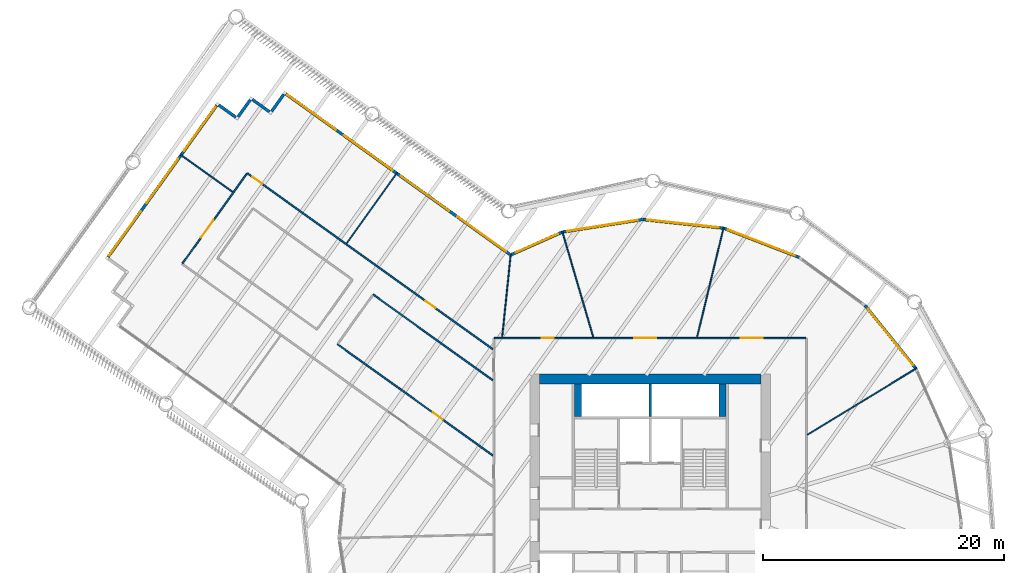
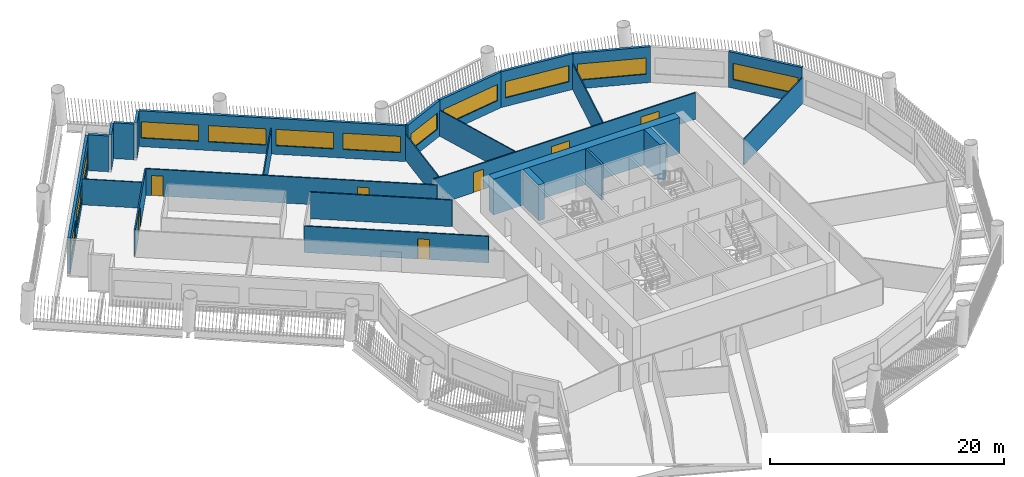
# One storey, part 7 of 17: 26 walls, 12 windows, 7 doors, 19 openings.
"""IFC4 building model written with IfcOpenShell, lengths in metres."""

from ifc_helpers import new_model, si_unit, direction, frame, frame_2d, origin, place, context, subcontext, project, spatial, rectangle, extrude, material, layer, layer_set, type_object, element, fill, save


model = new_model("IFC4")

# Units and contexts
model_context = context("Model", 3, precision=1e-05, world=origin(), true_north=direction((0.0, 1.0)))
body_context = subcontext(model_context, "Body", "Model", "MODEL_VIEW")
ifc_project = project(units=[si_unit("LENGTHUNIT", "METRE"), si_unit("AREAUNIT", "SQUARE_METRE"), si_unit("VOLUMEUNIT", "CUBIC_METRE"), si_unit("PLANEANGLEUNIT", "RADIAN"), si_unit("MASSUNIT", "GRAM", prefix="KILO")], contexts=[model_context])

# Site, building, storey
site_placement = place(None, origin())
site = spatial("IfcSite", under=ifc_project, at=site_placement, CompositionType="ELEMENT")
building_placement = place(site_placement, origin())
building = spatial("IfcBuilding", under=site, at=building_placement, Name="Tarsis Ring Headquarters", CompositionType="ELEMENT")
storey_placement = place(building_placement, frame((0.0, 0.0, 127.89990234375)))
storey = spatial("IfcBuildingStorey", under=building, at=storey_placement, Name="L29", CompositionType="ELEMENT", Elevation=127.89990234375)

# Walls
ifc_material_1 = material(Name="Concrete C60/75", Category="concrete")
ifc_layer_1 = layer(ifc_material_1, 0.800048828125)
ifc_layer_set_1 = layer_set([ifc_layer_1], Name="Core wall 800 C60/75")
wall_type_1 = type_object("IfcWallType", Name="Core wall 800 C60/75", PredefinedType="SHEAR", material=ifc_layer_set_1)
wall_1_placement = place(storey_placement, frame((-9.199951171875, 12.60009765625, 0.0), z_axis=(0.0, 0.0, 1.0), x_axis=(1.0, 0.0, 0.0)))
element("IfcWall", 1, at=wall_1_placement, inside=storey, type_object=wall_type_1, Name="Core wall ON", PredefinedType="SHEAR", context=body_context, shape_type="SweptSolid", body=[
    extrude(rectangle(XDim=18.39990234375, YDim=0.800048828125, at=frame_2d((9.199951171875, 0.0))), origin(), (0.0, 0.0, 1.0), 3.739990234375),
])
ifc_material_2 = material(Name="Gypsum board on steel studs", Category="steel")
ifc_layer_2 = layer(ifc_material_2, 0.10009765625)
ifc_layer_set_2 = layer_set([ifc_layer_2], Name="FL partition 100 unrated")
wall_type_2 = type_object("IfcWallType", Name="FL partition 100 unrated", PredefinedType="PARTITIONING", material=ifc_layer_set_2)
wall_2_placement = place(storey_placement, frame((13.076904296875, 7.975830078125, 0.0), z_axis=(0.0, 0.0, 1.0), x_axis=(0.853735667836, 0.520706644344, 0.0)))
element("IfcWall", 2, at=wall_2_placement, inside=storey, type_object=wall_type_2, Name="Partition PW3", PredefinedType="PARTITIONING", context=body_context, shape_type="SweptSolid", body=[
    extrude(rectangle(XDim=10.630615234375, YDim=0.10009765625, at=frame_2d((5.3154296875, 0.0))), origin(), (0.0, 0.0, 1.0), 2.7001953125),
])
wall_3_placement = place(storey_placement, frame((3.893310546875, 16.068115234375, 0.0), z_axis=(0.0, 0.0, 1.0), x_axis=(0.235457523837, 0.971884640515, 0.0)))
element("IfcWall", 3, at=wall_3_placement, inside=storey, type_object=wall_type_2, Name="Partition PW3", PredefinedType="PARTITIONING", context=body_context, shape_type="SweptSolid", body=[
    extrude(rectangle(XDim=9.414794921875, YDim=0.10009765625, at=frame_2d((4.70751953125, 0.0))), origin(), (0.0, 0.0, 1.0), 2.7001953125),
])
wall_4_placement = place(storey_placement, frame((-7.3173828125, 24.894775390625, 0.0), z_axis=(0.0, 0.0, 1.0), x_axis=(0.282002553172, -0.959413654272, 0.0)))
element("IfcWall", 4, at=wall_4_placement, inside=storey, type_object=wall_type_2, Name="Partition PW3", PredefinedType="PARTITIONING", context=body_context, shape_type="SweptSolid", body=[
    extrude(rectangle(XDim=9.201171875, YDim=0.10009765625, at=frame_2d((4.6005859375, 0.0))), origin(), (0.0, 0.0, 1.0), 2.7001953125),
])
wall_5_placement = place(storey_placement, frame((-25.23681640625, 23.875244140625, 0.0), z_axis=(0.0, 0.0, 1.0), x_axis=(0.582408283649, 0.812896420916, 0.0)))
element("IfcWall", 5, at=wall_5_placement, inside=storey, type_object=wall_type_2, Name="Partition PW3", PredefinedType="PARTITIONING", context=body_context, shape_type="SweptSolid", body=[
    extrude(rectangle(XDim=7.23974609375, YDim=0.10009765625, at=frame_2d((3.619873046875, 0.0))), origin(), (0.0, 0.0, 1.0), 2.7001953125),
])
wall_6_placement = place(storey_placement, frame((-12.301025390625, 16.0693359375, 0.0), z_axis=(0.0, 0.0, 1.0), x_axis=(0.102247520634, 0.99475898816, 0.0)))
element("IfcWall", 6, at=wall_6_placement, inside=storey, type_object=wall_type_2, Name="Partition PW3", PredefinedType="PARTITIONING", context=body_context, shape_type="SweptSolid", body=[
    extrude(rectangle(XDim=6.941162109375, YDim=0.10009765625, at=frame_2d((3.470703125, 0.0))), origin(), (0.0, 0.0, 1.0), 2.7001953125),
])
wall_7_placement = place(storey_placement, frame((-39.04931640625, 31.26171875, 0.0), z_axis=(0.0, 0.0, 1.0), x_axis=(0.812897062604, -0.582407388011, 0.0)))
element("IfcWall", 7, at=wall_7_placement, inside=storey, type_object=wall_type_2, Name="Partition PW3", PredefinedType="PARTITIONING", context=body_context, shape_type="SweptSolid", body=[
    extrude(rectangle(XDim=5.35009765625, YDim=0.10009765625, at=frame_2d((2.675048828125, 0.0))), origin(), (0.0, 0.0, 1.0), 2.7001953125),
])

# Wall, openings, doors
ifc_layer_3 = layer(ifc_material_2, 0.125)
ifc_layer_set_3 = layer_set([ifc_layer_3], Name="FL partition 125 EI 60 H2770")
wall_type_3 = type_object("IfcWallType", Name="FL partition 125 EI 60 H2770", PredefinedType="PARTITIONING", material=ifc_layer_set_3)
wall_8_placement = place(storey_placement, frame((-12.93994140625, 16.0, 0.0), z_axis=(0.0, 0.0, 1.0), x_axis=(1.0, 0.0, 0.0)))
wall_8 = element("IfcWall", 8, at=wall_8_placement, inside=storey, type_object=wall_type_3, Name="Partition PW1", PredefinedType="PARTITIONING", context=body_context, shape_type="SweptSolid", body=[
    extrude(rectangle(XDim=25.8798828125, YDim=0.125, at=frame_2d((12.93994140625, 0.0))), origin(), (0.0, 0.0, 1.0), 2.77001953125),
])
opening_1_placement = place(wall_8_placement, frame((3.93310546875, 0.0, 0.0)))
opening_1 = element("IfcOpeningElement", 9, at=opening_1_placement, cuts=wall_8, Name="Opening D29.04", PredefinedType="OPENING", context=body_context, shape_type="SweptSolid", body=[
    extrude(rectangle(XDim=1.0, YDim=2.10009765625, at=frame_2d((0.5, 1.050048828125))), frame((0.0, 0.072509765625, 0.0), z_axis=(0.0, -1.0, 0.0), x_axis=(1.0, 0.0, 0.0)), (0.0, 0.0, 1.0), 0.14501953125),
])
opening_2_placement = place(wall_8_placement, frame((11.626953125, 0.0, 0.0)))
opening_2 = element("IfcOpeningElement", 10, at=opening_2_placement, cuts=wall_8, Name="Opening D29.05", PredefinedType="OPENING", context=body_context, shape_type="SweptSolid", body=[
    extrude(rectangle(XDim=1.800048828125, YDim=2.10009765625, at=frame_2d((0.89990234375, 1.050048828125))), frame((0.0, 0.072509765625, 0.0), z_axis=(0.0, -1.0, 0.0), x_axis=(1.0, 0.0, 0.0)), (0.0, 0.0, 1.0), 0.14501953125),
])
opening_3_placement = place(wall_8_placement, frame((20.478515625, 0.0, 0.0)))
opening_3 = element("IfcOpeningElement", 11, at=opening_3_placement, cuts=wall_8, Name="Opening D29.06", PredefinedType="OPENING", context=body_context, shape_type="SweptSolid", body=[
    extrude(rectangle(XDim=1.800048828125, YDim=2.10009765625, at=frame_2d((0.89990234375, 1.050048828125))), frame((0.0, 0.072509765625, 0.0), z_axis=(0.0, -1.0, 0.0), x_axis=(1.0, 0.0, 0.0)), (0.0, 0.0, 1.0), 0.14501953125),
])
ifc_material_3 = material(Name="Fire-rated timber door leaf in steel frame", Category="steel")
door_type_1 = type_object("IfcDoorType", Name="FL door FD60-1000", OperationType="NOTDEFINED", PredefinedType="DOOR", material=ifc_material_3)
door_1_placement = place(opening_1_placement, origin())
door_1 = element("IfcDoor", 12, at=door_1_placement, inside=storey, type_object=door_type_1, Name="Door D29.04", OperationType="SINGLE_SWING_LEFT", OverallHeight=2.10009765625, OverallWidth=1.0, PredefinedType="DOOR", context=body_context, shape_type="SweptSolid", body=[
    extrude(rectangle(XDim=1.0, YDim=2.10009765625, at=frame_2d((0.5, 1.050048828125))), frame((0.0, 0.02490234375, 0.0), z_axis=(0.0, -1.0, 0.0), x_axis=(1.0, 0.0, 0.0)), (0.0, 0.0, 1.0), 0.050048828125),
])
fill(opening_1, door_1)
door_type_2 = type_object("IfcDoorType", Name="FL door FD60-1800", OperationType="DOUBLE_DOOR_SINGLE_SWING", PredefinedType="DOOR", material=ifc_material_3)
door_2_placement = place(opening_2_placement, origin())
door_2 = element("IfcDoor", 13, at=door_2_placement, inside=storey, type_object=door_type_2, Name="Door D29.05", OperationType="DOUBLE_DOOR_SINGLE_SWING", OverallHeight=2.10009765625, OverallWidth=1.800048828125, PredefinedType="DOOR", context=body_context, shape_type="SweptSolid", body=[
    extrude(rectangle(XDim=1.800048828125, YDim=2.10009765625, at=frame_2d((0.89990234375, 1.050048828125))), frame((0.0, 0.02490234375, 0.0), z_axis=(0.0, -1.0, 0.0), x_axis=(1.0, 0.0, 0.0)), (0.0, 0.0, 1.0), 0.050048828125),
])
fill(opening_2, door_2)
door_3_placement = place(opening_3_placement, origin())
door_3 = element("IfcDoor", 14, at=door_3_placement, inside=storey, type_object=door_type_2, Name="Door D29.06", OperationType="DOUBLE_DOOR_SINGLE_SWING", OverallHeight=2.10009765625, OverallWidth=1.800048828125, PredefinedType="DOOR", context=body_context, shape_type="SweptSolid", body=[
    extrude(rectangle(XDim=1.800048828125, YDim=2.10009765625, at=frame_2d((0.89990234375, 1.050048828125))), frame((0.0, 0.02490234375, 0.0), z_axis=(0.0, -1.0, 0.0), x_axis=(1.0, 0.0, 0.0)), (0.0, 0.0, 1.0), 0.050048828125),
])
fill(opening_3, door_3)

wall_9_placement = place(storey_placement, frame((-33.49609375, 29.706298828125, 0.0), z_axis=(0.0, 0.0, 1.0), x_axis=(0.81290138622, -0.582401353262, 0.0)))
wall_9 = element("IfcWall", 15, at=wall_9_placement, inside=storey, type_object=wall_type_3, Name="Partition PW1", PredefinedType="PARTITIONING", context=body_context, shape_type="SweptSolid", body=[
    extrude(rectangle(XDim=25.103515625, YDim=0.125, at=frame_2d((12.5517578125, 0.0))), origin(), (0.0, 0.0, 1.0), 2.77001953125),
])
opening_4_placement = place(wall_9_placement, frame((0.550048828125, 0.0, 0.0)))
opening_4 = element("IfcOpeningElement", 16, at=opening_4_placement, cuts=wall_9, Name="Opening D29.02", PredefinedType="OPENING", context=body_context, shape_type="SweptSolid", body=[
    extrude(rectangle(XDim=1.0, YDim=2.10009765625, at=frame_2d((0.5, 1.050048828125))), frame((0.0, 0.072509765625, 0.0), z_axis=(0.0, -1.0, 0.0), x_axis=(1.0, 0.0, 0.0)), (0.0, 0.0, 1.0), 0.14501953125),
])
opening_5_placement = place(wall_9_placement, frame((18.24658203125, 0.0, 0.0)))
opening_5 = element("IfcOpeningElement", 17, at=opening_5_placement, cuts=wall_9, Name="Opening D29.03", PredefinedType="OPENING", context=body_context, shape_type="SweptSolid", body=[
    extrude(rectangle(XDim=1.0, YDim=2.10009765625, at=frame_2d((0.5, 1.050048828125))), frame((0.0, 0.072509765625, 0.0), z_axis=(0.0, -1.0, 0.0), x_axis=(1.0, 0.0, 0.0)), (0.0, 0.0, 1.0), 0.14501953125),
])
door_4_placement = place(opening_4_placement, origin())
door_4 = element("IfcDoor", 18, at=door_4_placement, inside=storey, type_object=door_type_1, Name="Door D29.02", OperationType="SINGLE_SWING_LEFT", OverallHeight=2.10009765625, OverallWidth=1.0, PredefinedType="DOOR", context=body_context, shape_type="SweptSolid", body=[
    extrude(rectangle(XDim=1.0, YDim=2.10009765625, at=frame_2d((0.5, 1.050048828125))), frame((0.0, 0.02490234375, 0.0), z_axis=(0.0, -1.0, 0.0), x_axis=(1.0, 0.0, 0.0)), (0.0, 0.0, 1.0), 0.050048828125),
])
fill(opening_4, door_4)
door_5_placement = place(opening_5_placement, origin())
door_5 = element("IfcDoor", 19, at=door_5_placement, inside=storey, type_object=door_type_1, Name="Door D29.03", OperationType="SINGLE_SWING_RIGHT", OverallHeight=2.10009765625, OverallWidth=1.0, PredefinedType="DOOR", context=body_context, shape_type="SweptSolid", body=[
    extrude(rectangle(XDim=1.0, YDim=2.10009765625, at=frame_2d((0.5, 1.050048828125))), frame((0.0, 0.02490234375, 0.0), z_axis=(0.0, -1.0, 0.0), x_axis=(1.0, 0.0, 0.0)), (0.0, 0.0, 1.0), 0.050048828125),
])
fill(opening_5, door_5)

# Wall, opening, door
wall_10_placement = place(storey_placement, frame((-25.98828125, 15.494873046875, 0.0), z_axis=(0.0, 0.0, 1.0), x_axis=(0.812899924944, -0.58240339287, 0.0)))
wall_10 = element("IfcWall", 20, at=wall_10_placement, inside=storey, type_object=wall_type_3, Name="Partition PW1", PredefinedType="PARTITIONING", context=body_context, shape_type="SweptSolid", body=[
    extrude(rectangle(XDim=15.86767578125, YDim=0.125, at=frame_2d((7.933837890625, 0.0))), origin(), (0.0, 0.0, 1.0), 2.77001953125),
])
opening_6_placement = place(wall_10_placement, frame((9.76123046875, 0.0, 0.0)))
opening_6 = element("IfcOpeningElement", 21, at=opening_6_placement, cuts=wall_10, Name="Opening D29.16", PredefinedType="OPENING", context=body_context, shape_type="SweptSolid", body=[
    extrude(rectangle(XDim=1.0, YDim=2.10009765625, at=frame_2d((0.5, 1.050048828125))), frame((0.0, 0.072509765625, 0.0), z_axis=(0.0, -1.0, 0.0), x_axis=(1.0, 0.0, 0.0)), (0.0, 0.0, 1.0), 0.14501953125),
])
door_6_placement = place(opening_6_placement, origin())
door_6 = element("IfcDoor", 22, at=door_6_placement, inside=storey, type_object=door_type_1, Name="Door D29.16", OperationType="SINGLE_SWING_LEFT", OverallHeight=2.10009765625, OverallWidth=1.0, PredefinedType="DOOR", context=body_context, shape_type="SweptSolid", body=[
    extrude(rectangle(XDim=1.0, YDim=2.10009765625, at=frame_2d((0.5, 1.050048828125))), frame((0.0, 0.02490234375, 0.0), z_axis=(0.0, -1.0, 0.0), x_axis=(1.0, 0.0, 0.0)), (0.0, 0.0, 1.0), 0.050048828125),
])
fill(opening_6, door_6)

# Wall
wall_11_placement = place(storey_placement, frame((-23.029541015625, 19.624267578125, 0.0), z_axis=(0.0, 0.0, 1.0), x_axis=(0.812902986957, -0.582399118987, 0.0)))
element("IfcWall", 23, at=wall_11_placement, inside=storey, type_object=wall_type_3, Name="Partition PW1", PredefinedType="PARTITIONING", context=body_context, shape_type="SweptSolid", body=[
    extrude(rectangle(XDim=12.22802734375, YDim=0.125, at=frame_2d((6.114013671875, 0.0))), origin(), (0.0, 0.0, 1.0), 2.77001953125),
])

# Wall, opening, door
wall_12_placement = place(storey_placement, frame((-38.86572265625, 22.21142578125, 0.0), z_axis=(0.0, 0.0, 1.0), x_axis=(0.582389803359, 0.812909660998, 0.0)))
wall_12 = element("IfcWall", 24, at=wall_12_placement, inside=storey, type_object=wall_type_3, Name="Partition PW1", PredefinedType="PARTITIONING", context=body_context, shape_type="SweptSolid", body=[
    extrude(rectangle(XDim=9.16015625, YDim=0.125, at=frame_2d((4.580078125, 0.0))), origin(), (0.0, 0.0, 1.0), 2.77001953125),
])
opening_7_placement = place(wall_12_placement, frame((2.6298828125, 0.0, 0.0)))
opening_7 = element("IfcOpeningElement", 25, at=opening_7_placement, cuts=wall_12, Name="Opening D29.01", PredefinedType="OPENING", context=body_context, shape_type="SweptSolid", body=[
    extrude(rectangle(XDim=1.800048828125, YDim=2.10009765625, at=frame_2d((0.89990234375, 1.050048828125))), frame((0.0, 0.072509765625, 0.0), z_axis=(0.0, -1.0, 0.0), x_axis=(1.0, 0.0, 0.0)), (0.0, 0.0, 1.0), 0.14501953125),
])
door_7_placement = place(opening_7_placement, origin())
door_7 = element("IfcDoor", 26, at=door_7_placement, inside=storey, type_object=door_type_2, Name="Door D29.01", OperationType="DOUBLE_DOOR_SINGLE_SWING", OverallHeight=2.10009765625, OverallWidth=1.800048828125, PredefinedType="DOOR", context=body_context, shape_type="SweptSolid", body=[
    extrude(rectangle(XDim=1.800048828125, YDim=2.10009765625, at=frame_2d((0.89990234375, 1.050048828125))), frame((0.0, 0.02490234375, 0.0), z_axis=(0.0, -1.0, 0.0), x_axis=(1.0, 0.0, 0.0)), (0.0, 0.0, 1.0), 0.050048828125),
])
fill(opening_7, door_7)

# Wall, opening, window
ifc_material_4 = material(Name="Terracotta clad insulated panel wall", Category="masonry")
ifc_layer_4 = layer(ifc_material_4, 0.25)
ifc_layer_set_4 = layer_set([ifc_layer_4], Name="Facade wall terracotta panel 250")
wall_type_4 = type_object("IfcWallType", Name="Facade wall terracotta panel 250", PredefinedType="STANDARD", material=ifc_layer_set_4)
wall_13_placement = place(storey_placement, frame((22.0791015625, 13.485595703125, 0.0), z_axis=(0.0, 0.0, 1.0), x_axis=(-0.627689262615, 0.778463993771, 0.0)))
wall_13 = element("IfcWall", 27, at=wall_13_placement, inside=storey, type_object=wall_type_4, Name="External wall L29-25", PredefinedType="STANDARD", context=body_context, shape_type="SweptSolid", body=[
    extrude(rectangle(XDim=6.721435546875, YDim=0.25, at=frame_2d((3.36083984375, 0.0))), origin(), (0.0, 0.0, 1.0), 3.739990234375),
])
opening_8_placement = place(wall_13_placement, frame((0.3857421875, 0.0, 0.89990234375)))
opening_8 = element("IfcOpeningElement", 28, at=opening_8_placement, cuts=wall_13, Name="Opening WN07", PredefinedType="OPENING", context=body_context, shape_type="SweptSolid", body=[
    extrude(rectangle(XDim=5.949951171875, YDim=1.699951171875, at=frame_2d((2.97509765625, 0.85009765625))), frame((0.0, 0.135009765625, 0.0), z_axis=(0.0, -1.0, 0.0), x_axis=(1.0, 0.0, 0.0)), (0.0, 0.0, 1.0), 0.27001953125),
])
ifc_material_5 = material(Name="Aluminium framed double glazing", Category="aluminium")
window_type_1 = type_object("IfcWindowType", Name="Facade window 5950 x 1700", PartitioningType="SINGLE_PANEL", PredefinedType="WINDOW", material=ifc_material_5)
window_1_placement = place(opening_8_placement, origin())
window_1 = element("IfcWindow", 29, at=window_1_placement, inside=storey, type_object=window_type_1, Name="Window L29-25.1", OverallHeight=1.699951171875, OverallWidth=5.949951171875, PartitioningType="SINGLE_PANEL", PredefinedType="WINDOW", context=body_context, shape_type="SweptSolid", body=[
    extrude(rectangle(XDim=5.949951171875, YDim=1.699951171875, at=frame_2d((2.97509765625, 0.85009765625))), frame((0.0, 0.030029296875, 0.0), z_axis=(0.0, -1.0, 0.0), x_axis=(1.0, 0.0, 0.0)), (0.0, 0.0, 1.0), 0.06005859375),
])
fill(opening_8, window_1)

wall_14_placement = place(storey_placement, frame((12.378173828125, 22.718505859375, 0.0), z_axis=(0.0, 0.0, 1.0), x_axis=(-0.932829767959, 0.360317393433, 0.0)))
wall_14 = element("IfcWall", 30, at=wall_14_placement, inside=storey, type_object=wall_type_4, Name="External wall L29-27", PredefinedType="STANDARD", context=body_context, shape_type="SweptSolid", body=[
    extrude(rectangle(XDim=6.721435546875, YDim=0.25, at=frame_2d((3.36083984375, 0.0))), origin(), (0.0, 0.0, 1.0), 3.739990234375),
])
opening_9_placement = place(wall_14_placement, frame((0.3857421875, 0.0, 0.89990234375)))
opening_9 = element("IfcOpeningElement", 31, at=opening_9_placement, cuts=wall_14, Name="Opening WN07", PredefinedType="OPENING", context=body_context, shape_type="SweptSolid", body=[
    extrude(rectangle(XDim=5.949951171875, YDim=1.699951171875, at=frame_2d((2.97509765625, 0.85009765625))), frame((0.0, 0.135009765625, 0.0), z_axis=(0.0, -1.0, 0.0), x_axis=(1.0, 0.0, 0.0)), (0.0, 0.0, 1.0), 0.27001953125),
])
window_2_placement = place(opening_9_placement, origin())
window_2 = element("IfcWindow", 32, at=window_2_placement, inside=storey, type_object=window_type_1, Name="Window L29-27.1", OverallHeight=1.699951171875, OverallWidth=5.949951171875, PartitioningType="SINGLE_PANEL", PredefinedType="WINDOW", context=body_context, shape_type="SweptSolid", body=[
    extrude(rectangle(XDim=5.949951171875, YDim=1.699951171875, at=frame_2d((2.97509765625, 0.85009765625))), frame((0.0, 0.030029296875, 0.0), z_axis=(0.0, -1.0, 0.0), x_axis=(1.0, 0.0, 0.0)), (0.0, 0.0, 1.0), 0.06005859375),
])
fill(opening_9, window_2)

wall_15_placement = place(storey_placement, frame((6.076416015625, 25.14794921875, 0.0), z_axis=(0.0, 0.0, 1.0), x_axis=(-0.994297330332, 0.106643419371, 0.0)))
wall_15 = element("IfcWall", 33, at=wall_15_placement, inside=storey, type_object=wall_type_4, Name="External wall L29-28", PredefinedType="STANDARD", context=body_context, shape_type="SweptSolid", body=[
    extrude(rectangle(XDim=6.721435546875, YDim=0.25, at=frame_2d((3.36083984375, 0.0))), origin(), (0.0, 0.0, 1.0), 3.739990234375),
])
opening_10_placement = place(wall_15_placement, frame((0.3857421875, 0.0, 0.89990234375)))
opening_10 = element("IfcOpeningElement", 34, at=opening_10_placement, cuts=wall_15, Name="Opening WN07", PredefinedType="OPENING", context=body_context, shape_type="SweptSolid", body=[
    extrude(rectangle(XDim=5.949951171875, YDim=1.699951171875, at=frame_2d((2.97509765625, 0.85009765625))), frame((0.0, 0.135009765625, 0.0), z_axis=(0.0, -1.0, 0.0), x_axis=(1.0, 0.0, 0.0)), (0.0, 0.0, 1.0), 0.27001953125),
])
window_3_placement = place(opening_10_placement, origin())
window_3 = element("IfcWindow", 35, at=window_3_placement, inside=storey, type_object=window_type_1, Name="Window L29-28.1", OverallHeight=1.699951171875, OverallWidth=5.949951171875, PartitioningType="SINGLE_PANEL", PredefinedType="WINDOW", context=body_context, shape_type="SweptSolid", body=[
    extrude(rectangle(XDim=5.949951171875, YDim=1.699951171875, at=frame_2d((2.97509765625, 0.85009765625))), frame((0.0, 0.030029296875, 0.0), z_axis=(0.0, -1.0, 0.0), x_axis=(1.0, 0.0, 0.0)), (0.0, 0.0, 1.0), 0.06005859375),
])
fill(opening_10, window_3)

wall_16_placement = place(storey_placement, frame((-0.639404296875, 25.86376953125, 0.0), z_axis=(0.0, 0.0, 1.0), x_axis=(-0.988018438745, -0.154335882733, 0.0)))
wall_16 = element("IfcWall", 36, at=wall_16_placement, inside=storey, type_object=wall_type_4, Name="External wall L29-29", PredefinedType="STANDARD", context=body_context, shape_type="SweptSolid", body=[
    extrude(rectangle(XDim=6.721435546875, YDim=0.25, at=frame_2d((3.36083984375, 0.0))), origin(), (0.0, 0.0, 1.0), 3.739990234375),
])
opening_11_placement = place(wall_16_placement, frame((0.3857421875, 0.0, 0.89990234375)))
opening_11 = element("IfcOpeningElement", 37, at=opening_11_placement, cuts=wall_16, Name="Opening WN07", PredefinedType="OPENING", context=body_context, shape_type="SweptSolid", body=[
    extrude(rectangle(XDim=5.949951171875, YDim=1.699951171875, at=frame_2d((2.97509765625, 0.85009765625))), frame((0.0, 0.135009765625, 0.0), z_axis=(0.0, -1.0, 0.0), x_axis=(1.0, 0.0, 0.0)), (0.0, 0.0, 1.0), 0.27001953125),
])
window_4_placement = place(opening_11_placement, origin())
window_4 = element("IfcWindow", 38, at=window_4_placement, inside=storey, type_object=window_type_1, Name="Window L29-29.1", OverallHeight=1.699951171875, OverallWidth=5.949951171875, PartitioningType="SINGLE_PANEL", PredefinedType="WINDOW", context=body_context, shape_type="SweptSolid", body=[
    extrude(rectangle(XDim=5.949951171875, YDim=1.699951171875, at=frame_2d((2.97509765625, 0.85009765625))), frame((0.0, 0.030029296875, 0.0), z_axis=(0.0, -1.0, 0.0), x_axis=(1.0, 0.0, 0.0)), (0.0, 0.0, 1.0), 0.06005859375),
])
fill(opening_11, window_4)

wall_17_placement = place(storey_placement, frame((-7.311767578125, 24.817138671875, 0.0), z_axis=(0.0, 0.0, 1.0), x_axis=(-0.914392728895, -0.404828281304, 0.0)))
wall_17 = element("IfcWall", 39, at=wall_17_placement, inside=storey, type_object=wall_type_4, Name="External wall L29-30", PredefinedType="STANDARD", context=body_context, shape_type="SweptSolid", body=[
    extrude(rectangle(XDim=4.61767578125, YDim=0.25, at=frame_2d((2.308837890625, 0.0))), origin(), (0.0, 0.0, 1.0), 3.739990234375),
])
opening_12_placement = place(wall_17_placement, frame((0.367431640625, 0.0, 0.89990234375)))
opening_12 = element("IfcOpeningElement", 40, at=opening_12_placement, cuts=wall_17, Name="Opening WN02", PredefinedType="OPENING", context=body_context, shape_type="SweptSolid", body=[
    extrude(rectangle(XDim=3.85009765625, YDim=1.699951171875, at=frame_2d((1.925048828125, 0.85009765625))), frame((0.0, 0.135009765625, 0.0), z_axis=(0.0, -1.0, 0.0), x_axis=(1.0, 0.0, 0.0)), (0.0, 0.0, 1.0), 0.27001953125),
])
window_type_2 = type_object("IfcWindowType", Name="Facade window 3850 x 1700", PartitioningType="SINGLE_PANEL", PredefinedType="WINDOW", material=ifc_material_5)
window_5_placement = place(opening_12_placement, origin())
window_5 = element("IfcWindow", 41, at=window_5_placement, inside=storey, type_object=window_type_2, Name="Window L29-30.1", OverallHeight=1.699951171875, OverallWidth=3.85009765625, PartitioningType="SINGLE_PANEL", PredefinedType="WINDOW", context=body_context, shape_type="SweptSolid", body=[
    extrude(rectangle(XDim=3.85009765625, YDim=1.699951171875, at=frame_2d((1.925048828125, 0.85009765625))), frame((0.0, 0.030029296875, 0.0), z_axis=(0.0, -1.0, 0.0), x_axis=(1.0, 0.0, 0.0)), (0.0, 0.0, 1.0), 0.06005859375),
])
fill(opening_12, window_5)

# Wall, openings, windows
wall_18_placement = place(storey_placement, frame((-11.657470703125, 22.96044921875, 0.0), z_axis=(0.0, 0.0, 1.0), x_axis=(-0.81289779669, 0.582406363406, 0.0)))
wall_18 = element("IfcWall", 42, at=wall_18_placement, inside=storey, type_object=wall_type_4, Name="External wall L29-31", PredefinedType="STANDARD", context=body_context, shape_type="SweptSolid", body=[
    extrude(rectangle(XDim=22.9013671875, YDim=0.25, at=frame_2d((11.45068359375, 0.0))), origin(), (0.0, 0.0, 1.0), 3.739990234375),
])
opening_13_placement = place(wall_18_placement, frame((0.4189453125, 0.0, 0.89990234375)))
opening_13 = element("IfcOpeningElement", 43, at=opening_13_placement, cuts=wall_18, Name="Opening WN05", PredefinedType="OPENING", context=body_context, shape_type="SweptSolid", body=[
    extrude(rectangle(XDim=4.949951171875, YDim=1.699951171875, at=frame_2d((2.47509765625, 0.85009765625))), frame((0.0, 0.135009765625, 0.0), z_axis=(0.0, -1.0, 0.0), x_axis=(1.0, 0.0, 0.0)), (0.0, 0.0, 1.0), 0.27001953125),
])
opening_14_placement = place(wall_18_placement, frame((6.206787109375, 0.0, 0.89990234375)))
opening_14 = element("IfcOpeningElement", 44, at=opening_14_placement, cuts=wall_18, Name="Opening WN05", PredefinedType="OPENING", context=body_context, shape_type="SweptSolid", body=[
    extrude(rectangle(XDim=4.949951171875, YDim=1.699951171875, at=frame_2d((2.47509765625, 0.85009765625))), frame((0.0, 0.135009765625, 0.0), z_axis=(0.0, -1.0, 0.0), x_axis=(1.0, 0.0, 0.0)), (0.0, 0.0, 1.0), 0.27001953125),
])
opening_15_placement = place(wall_18_placement, frame((11.99462890625, 0.0, 0.89990234375)))
opening_15 = element("IfcOpeningElement", 45, at=opening_15_placement, cuts=wall_18, Name="Opening WN05", PredefinedType="OPENING", context=body_context, shape_type="SweptSolid", body=[
    extrude(rectangle(XDim=4.949951171875, YDim=1.699951171875, at=frame_2d((2.47509765625, 0.85009765625))), frame((0.0, 0.135009765625, 0.0), z_axis=(0.0, -1.0, 0.0), x_axis=(1.0, 0.0, 0.0)), (0.0, 0.0, 1.0), 0.27001953125),
])
opening_16_placement = place(wall_18_placement, frame((17.782470703125, 0.0, 0.89990234375)))
opening_16 = element("IfcOpeningElement", 46, at=opening_16_placement, cuts=wall_18, Name="Opening WN05", PredefinedType="OPENING", context=body_context, shape_type="SweptSolid", body=[
    extrude(rectangle(XDim=4.949951171875, YDim=1.699951171875, at=frame_2d((2.47509765625, 0.85009765625))), frame((0.0, 0.135009765625, 0.0), z_axis=(0.0, -1.0, 0.0), x_axis=(1.0, 0.0, 0.0)), (0.0, 0.0, 1.0), 0.27001953125),
])
window_type_3 = type_object("IfcWindowType", Name="Facade window 4950 x 1700", PartitioningType="SINGLE_PANEL", PredefinedType="WINDOW", material=ifc_material_5)
window_6_placement = place(opening_13_placement, origin())
window_6 = element("IfcWindow", 47, at=window_6_placement, inside=storey, type_object=window_type_3, Name="Window L29-31.1", OverallHeight=1.699951171875, OverallWidth=4.949951171875, PartitioningType="SINGLE_PANEL", PredefinedType="WINDOW", context=body_context, shape_type="SweptSolid", body=[
    extrude(rectangle(XDim=4.949951171875, YDim=1.699951171875, at=frame_2d((2.47509765625, 0.85009765625))), frame((0.0, 0.030029296875, 0.0), z_axis=(0.0, -1.0, 0.0), x_axis=(1.0, 0.0, 0.0)), (0.0, 0.0, 1.0), 0.06005859375),
])
fill(opening_13, window_6)
window_7_placement = place(opening_14_placement, origin())
window_7 = element("IfcWindow", 48, at=window_7_placement, inside=storey, type_object=window_type_3, Name="Window L29-31.2", OverallHeight=1.699951171875, OverallWidth=4.949951171875, PartitioningType="SINGLE_PANEL", PredefinedType="WINDOW", context=body_context, shape_type="SweptSolid", body=[
    extrude(rectangle(XDim=4.949951171875, YDim=1.699951171875, at=frame_2d((2.47509765625, 0.85009765625))), frame((0.0, 0.030029296875, 0.0), z_axis=(0.0, -1.0, 0.0), x_axis=(1.0, 0.0, 0.0)), (0.0, 0.0, 1.0), 0.06005859375),
])
fill(opening_14, window_7)
window_8_placement = place(opening_15_placement, origin())
window_8 = element("IfcWindow", 49, at=window_8_placement, inside=storey, type_object=window_type_3, Name="Window L29-31.3", OverallHeight=1.699951171875, OverallWidth=4.949951171875, PartitioningType="SINGLE_PANEL", PredefinedType="WINDOW", context=body_context, shape_type="SweptSolid", body=[
    extrude(rectangle(XDim=4.949951171875, YDim=1.699951171875, at=frame_2d((2.47509765625, 0.85009765625))), frame((0.0, 0.030029296875, 0.0), z_axis=(0.0, -1.0, 0.0), x_axis=(1.0, 0.0, 0.0)), (0.0, 0.0, 1.0), 0.06005859375),
])
fill(opening_15, window_8)
window_9_placement = place(opening_16_placement, origin())
window_9 = element("IfcWindow", 50, at=window_9_placement, inside=storey, type_object=window_type_3, Name="Window L29-31.4", OverallHeight=1.699951171875, OverallWidth=4.949951171875, PartitioningType="SINGLE_PANEL", PredefinedType="WINDOW", context=body_context, shape_type="SweptSolid", body=[
    extrude(rectangle(XDim=4.949951171875, YDim=1.699951171875, at=frame_2d((2.47509765625, 0.85009765625))), frame((0.0, 0.030029296875, 0.0), z_axis=(0.0, -1.0, 0.0), x_axis=(1.0, 0.0, 0.0)), (0.0, 0.0, 1.0), 0.06005859375),
])
fill(opening_16, window_9)

# Walls
for number, where, z_axis, x_axis, name in (
    (51, (-30.448486328125, 36.26953125, 0.0), (0.0, 0.0, 1.0), (-0.582333043568, -0.812950322202, 0.0), "External wall L29-32"),
    (52, (-31.64208984375, 34.818115234375, 0.0), (0.0, 0.0, 1.0), (-0.812884275137, 0.582425235747, 0.0), "External wall L29-33"),
    (53, (-33.239013671875, 35.80859375, 0.0), (0.0, 0.0, 1.0), (-0.582425235747, -0.812884275137, 0.0), "External wall L29-34"),
    (54, (-34.4326171875, 34.357177734375, 0.0), (0.0, 0.0, 1.0), (-0.812950322202, 0.582333043568, 0.0), "External wall L29-35"),
):
    element("IfcWall", number, at=place(storey_placement, frame(where, z_axis=z_axis, x_axis=x_axis)), inside=storey, type_object=wall_type_4, Name=name, PredefinedType="STANDARD", context=body_context, shape_type="SweptSolid", body=[
        extrude(rectangle(XDim=1.75, YDim=0.25, at=frame_2d((0.875, 0.0))), origin(), (0.0, 0.0, 1.0), 3.739990234375),
    ])

# Wall, openings, windows
wall_19_placement = place(storey_placement, frame((-36.029541015625, 35.347412109375, 0.0), z_axis=(0.0, 0.0, 1.0), x_axis=(-0.582410190783, -0.812895054525, 0.0)))
wall_19 = element("IfcWall", 55, at=wall_19_placement, inside=storey, type_object=wall_type_4, Name="External wall L29-36", PredefinedType="STANDARD", context=body_context, shape_type="SweptSolid", body=[
    extrude(rectangle(XDim=15.5, YDim=0.25, at=frame_2d((7.75, 0.0))), origin(), (0.0, 0.0, 1.0), 3.739990234375),
])
opening_17_placement = place(wall_19_placement, frame((0.166748046875, 0.0, 0.89990234375)))
opening_17 = element("IfcOpeningElement", 56, at=opening_17_placement, cuts=wall_19, Name="Opening WN04", PredefinedType="OPENING", context=body_context, shape_type="SweptSolid", body=[
    extrude(rectangle(XDim=4.5, YDim=1.699951171875, at=frame_2d((2.25, 0.85009765625))), frame((0.0, 0.135009765625, 0.0), z_axis=(0.0, -1.0, 0.0), x_axis=(1.0, 0.0, 0.0)), (0.0, 0.0, 1.0), 0.27001953125),
])
opening_18_placement = place(wall_19_placement, frame((5.5, 0.0, 0.89990234375)))
opening_18 = element("IfcOpeningElement", 57, at=opening_18_placement, cuts=wall_19, Name="Opening WN04", PredefinedType="OPENING", context=body_context, shape_type="SweptSolid", body=[
    extrude(rectangle(XDim=4.5, YDim=1.699951171875, at=frame_2d((2.25, 0.85009765625))), frame((0.0, 0.135009765625, 0.0), z_axis=(0.0, -1.0, 0.0), x_axis=(1.0, 0.0, 0.0)), (0.0, 0.0, 1.0), 0.27001953125),
])
opening_19_placement = place(wall_19_placement, frame((10.833251953125, 0.0, 0.89990234375)))
opening_19 = element("IfcOpeningElement", 58, at=opening_19_placement, cuts=wall_19, Name="Opening WN04", PredefinedType="OPENING", context=body_context, shape_type="SweptSolid", body=[
    extrude(rectangle(XDim=4.5, YDim=1.699951171875, at=frame_2d((2.25, 0.85009765625))), frame((0.0, 0.135009765625, 0.0), z_axis=(0.0, -1.0, 0.0), x_axis=(1.0, 0.0, 0.0)), (0.0, 0.0, 1.0), 0.27001953125),
])
window_type_4 = type_object("IfcWindowType", Name="Facade window 4500 x 1700", PartitioningType="SINGLE_PANEL", PredefinedType="WINDOW", material=ifc_material_5)
window_10_placement = place(opening_17_placement, origin())
window_10 = element("IfcWindow", 59, at=window_10_placement, inside=storey, type_object=window_type_4, Name="Window L29-36.1", OverallHeight=1.699951171875, OverallWidth=4.5, PartitioningType="SINGLE_PANEL", PredefinedType="WINDOW", context=body_context, shape_type="SweptSolid", body=[
    extrude(rectangle(XDim=4.5, YDim=1.699951171875, at=frame_2d((2.25, 0.85009765625))), frame((0.0, 0.030029296875, 0.0), z_axis=(0.0, -1.0, 0.0), x_axis=(1.0, 0.0, 0.0)), (0.0, 0.0, 1.0), 0.06005859375),
])
fill(opening_17, window_10)
window_11_placement = place(opening_18_placement, origin())
window_11 = element("IfcWindow", 60, at=window_11_placement, inside=storey, type_object=window_type_4, Name="Window L29-36.2", OverallHeight=1.699951171875, OverallWidth=4.5, PartitioningType="SINGLE_PANEL", PredefinedType="WINDOW", context=body_context, shape_type="SweptSolid", body=[
    extrude(rectangle(XDim=4.5, YDim=1.699951171875, at=frame_2d((2.25, 0.85009765625))), frame((0.0, 0.030029296875, 0.0), z_axis=(0.0, -1.0, 0.0), x_axis=(1.0, 0.0, 0.0)), (0.0, 0.0, 1.0), 0.06005859375),
])
fill(opening_18, window_11)
window_12_placement = place(opening_19_placement, origin())
window_12 = element("IfcWindow", 61, at=window_12_placement, inside=storey, type_object=window_type_4, Name="Window L29-36.3", OverallHeight=1.699951171875, OverallWidth=4.5, PartitioningType="SINGLE_PANEL", PredefinedType="WINDOW", context=body_context, shape_type="SweptSolid", body=[
    extrude(rectangle(XDim=4.5, YDim=1.699951171875, at=frame_2d((2.25, 0.85009765625))), frame((0.0, 0.030029296875, 0.0), z_axis=(0.0, -1.0, 0.0), x_axis=(1.0, 0.0, 0.0)), (0.0, 0.0, 1.0), 0.06005859375),
])
fill(opening_19, window_12)

# Walls
ifc_material_6 = material(Name="Concrete C32/40", Category="concrete")
ifc_layer_5 = layer(ifc_material_6, 0.60009765625)
ifc_layer_set_5 = layer_set([ifc_layer_5], Name="Shaft end wall 600 C32/40")
wall_type_5 = type_object("IfcWallType", Name="Shaft end wall 600 C32/40", PredefinedType="SOLIDWALL", material=ifc_layer_set_5)
for number, where, z_axis, x_axis, name in (
    (62, (-6.0, 9.5, 0.0), (0.0, 0.0, 1.0), (0.0, 1.0, 0.0), "Core shaft wall NNE1"),
    (63, (6.0, 9.5, 0.0), (0.0, 0.0, 1.0), (0.0, 1.0, 0.0), "Core shaft wall NNE2"),
):
    element("IfcWall", number, at=place(storey_placement, frame(where, z_axis=z_axis, x_axis=x_axis)), inside=storey, type_object=wall_type_5, Name=name, PredefinedType="SOLIDWALL", context=body_context, shape_type="SweptSolid", body=[
        extrude(rectangle(XDim=2.699951171875, YDim=0.60009765625, at=frame_2d((1.35009765625, 0.0))), origin(), (0.0, 0.0, 1.0), 3.739990234375),
    ])
ifc_layer_6 = layer(ifc_material_6, 0.199951171875)
ifc_layer_set_6 = layer_set([ifc_layer_6], Name="Shaft wall 200 C32/40")
wall_type_6 = type_object("IfcWallType", Name="Shaft wall 200 C32/40", PredefinedType="SOLIDWALL", material=ifc_layer_set_6)
wall_20_placement = place(storey_placement, frame((0.0, 9.5, 0.0), z_axis=(0.0, 0.0, 1.0), x_axis=(0.0, 1.0, 0.0)))
element("IfcWall", 64, at=wall_20_placement, inside=storey, type_object=wall_type_6, Name="Core shaft wall ND2", PredefinedType="SOLIDWALL", context=body_context, shape_type="SweptSolid", body=[
    extrude(rectangle(XDim=2.699951171875, YDim=0.199951171875, at=frame_2d((1.35009765625, 0.0))), origin(), (0.0, 0.0, 1.0), 3.739990234375),
])

save(model, "model.ifc")
